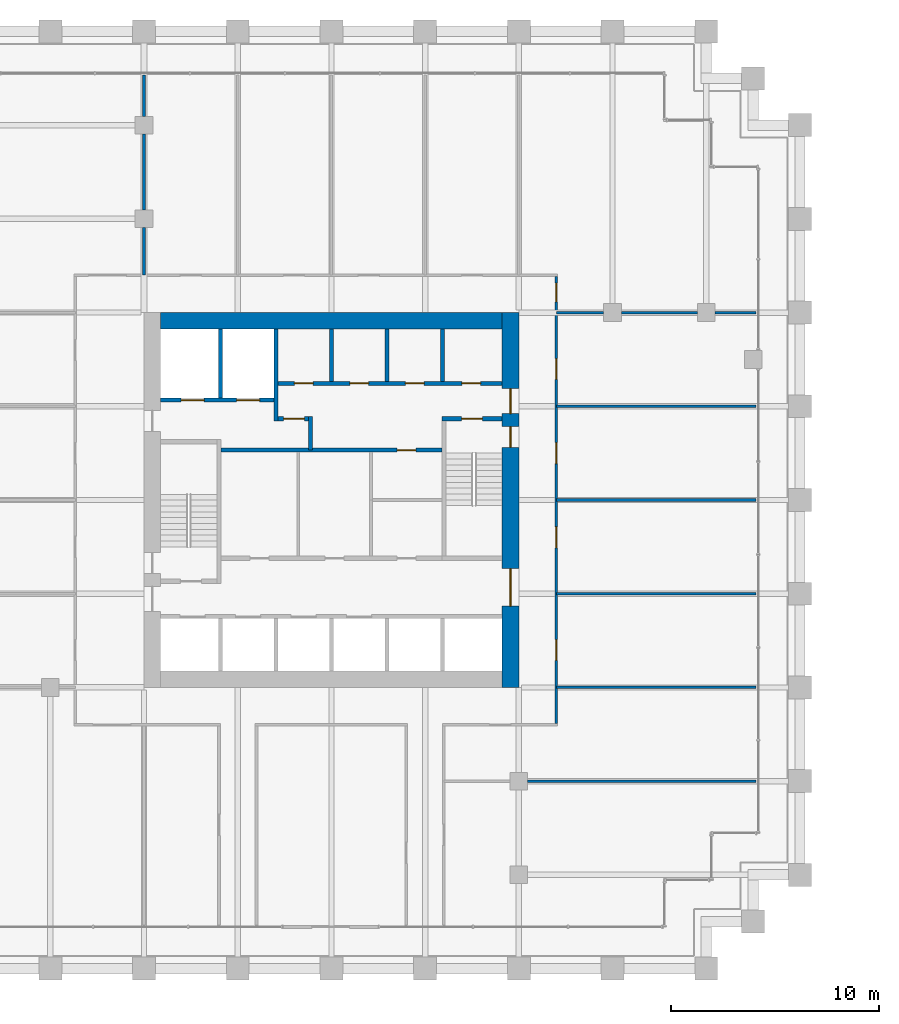
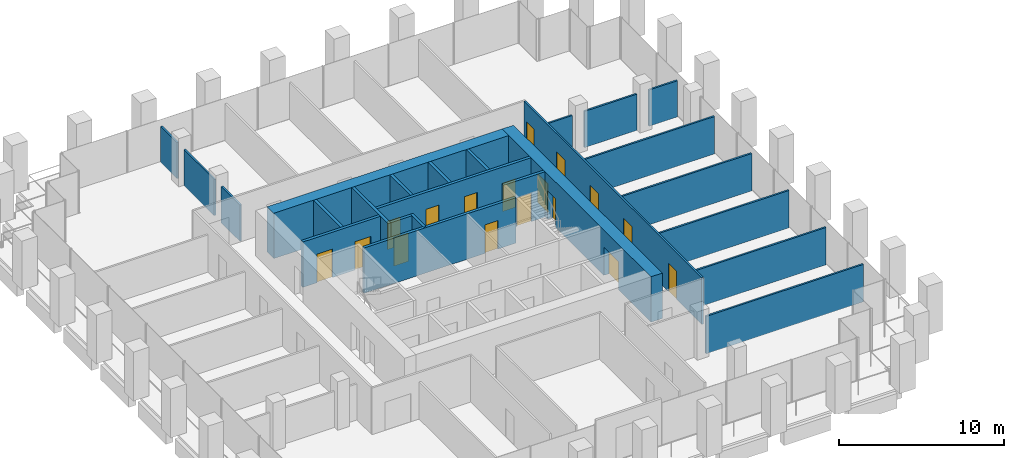
# One storey, part 51 of 56: 25 walls, 17 doors, 17 openings.
"""IFC4 building model written with IfcOpenShell, lengths in metres."""

from ifc_helpers import new_model, si_unit, direction, frame, frame_2d, origin, place, context, subcontext, project, spatial, rectangle, extrude, material, layer, layer_set, type_object, element, fill, save


model = new_model("IFC4")

# Units and contexts
model_context = context("Model", 3, precision=1e-05, world=origin(), true_north=direction((0.0, 1.0)))
body_context = subcontext(model_context, "Body", "Model", "MODEL_VIEW")
ifc_project = project(units=[si_unit("LENGTHUNIT", "METRE"), si_unit("AREAUNIT", "SQUARE_METRE"), si_unit("VOLUMEUNIT", "CUBIC_METRE"), si_unit("PLANEANGLEUNIT", "RADIAN"), si_unit("MASSUNIT", "GRAM", prefix="KILO")], contexts=[model_context])

# Site, building, storey
site_placement = place(None, origin())
site = spatial("IfcSite", under=ifc_project, at=site_placement, CompositionType="ELEMENT")
building_placement = place(site_placement, origin())
building = spatial("IfcBuilding", under=site, at=building_placement, Name="Altepetl Exchange Towers", CompositionType="ELEMENT")
storey_placement = place(building_placement, frame((0.0, 0.0, 72.60009765625)))
storey = spatial("IfcBuildingStorey", under=building, at=storey_placement, Name="L17", CompositionType="ELEMENT", Elevation=72.60009765625)

# Wall, openings, doors
ifc_material_1 = material(Name="Concrete C70/85", Category="concrete")
ifc_layer_1 = layer(ifc_material_1, 0.800048828125)
ifc_layer_set_1 = layer_set([ifc_layer_1], Name="Concrete C70/85")
wall_type_1 = type_object("IfcWallType", Name="Core wall 800 reinforced concrete", PredefinedType="SHEAR", material=ifc_layer_set_1)
wall_1_placement = place(storey_placement, frame((58.10009765625, 40.5, 0.0), z_axis=(0.0, 0.0, 1.0), x_axis=(0.0, 1.0, 0.0)))
wall_1 = element("IfcWall", 1, at=wall_1_placement, inside=storey, type_object=wall_type_1, Name="wall:A:L17:K-coreE", PredefinedType="SHEAR", context=body_context, shape_type="SweptSolid", body=[
    extrude(rectangle(XDim=18.0, YDim=0.800048828125, at=frame_2d((9.0, 0.0))), origin(), (0.0, 0.0, 1.0), 3.349853515625),
])
opening_1_placement = place(wall_1_placement, frame((13.14990234375, 0.0, 0.0)))
opening_1 = element("IfcOpeningElement", 2, at=opening_1_placement, cuts=wall_1, Name="Opening L17.A60", PredefinedType="OPENING", context=body_context, shape_type="SweptSolid", body=[
    extrude(rectangle(XDim=1.199951171875, YDim=2.10009765625, at=frame_2d((0.60009765625, 1.050048828125))), frame((0.0, 0.41015625, 0.0), z_axis=(0.0, -1.0, 0.0), x_axis=(1.0, 0.0, 0.0)), (0.0, 0.0, 1.0), 0.820068359375),
])
opening_2_placement = place(wall_1_placement, frame((3.89990234375, 0.0, 0.0)))
opening_2 = element("IfcOpeningElement", 3, at=opening_2_placement, cuts=wall_1, Name="Opening L17.A61", PredefinedType="OPENING", context=body_context, shape_type="SweptSolid", body=[
    extrude(rectangle(XDim=1.800048828125, YDim=2.10009765625, at=frame_2d((0.89990234375, 1.050048828125))), frame((0.0, 0.41015625, 0.0), z_axis=(0.0, -1.0, 0.0), x_axis=(1.0, 0.0, 0.0)), (0.0, 0.0, 1.0), 0.820068359375),
])
opening_3_placement = place(wall_1_placement, frame((11.52490234375, 0.0, 0.0)))
opening_3 = element("IfcOpeningElement", 4, at=opening_3_placement, cuts=wall_1, Name="Opening L17.A66", PredefinedType="OPENING", context=body_context, shape_type="SweptSolid", body=[
    extrude(rectangle(XDim=1.0, YDim=2.10009765625, at=frame_2d((0.5, 1.050048828125))), frame((0.0, 0.41015625, 0.0), z_axis=(0.0, -1.0, 0.0), x_axis=(1.0, 0.0, 0.0)), (0.0, 0.0, 1.0), 0.820068359375),
])
ifc_material_2 = material(Name="Steel and timber fire door", Category="steel")
door_type_1 = type_object("IfcDoorType", Name="Fire door 1000 x 2100 stair and lobby", OperationType="SINGLE_SWING_LEFT", PredefinedType="DOOR", material=ifc_material_2)
door_1_placement = place(opening_3_placement, origin())
door_1 = element("IfcDoor", 5, at=door_1_placement, inside=storey, type_object=door_type_1, Name="door:A:L17:K-dS2x", OperationType="SINGLE_SWING_RIGHT", OverallHeight=2.10009765625, OverallWidth=1.0, PredefinedType="DOOR", context=body_context, shape_type="SweptSolid", body=[
    extrude(rectangle(XDim=1.0, YDim=2.10009765625, at=frame_2d((0.5, 1.050048828125))), frame((0.0, 0.02490234375, 0.0), z_axis=(0.0, -1.0, 0.0), x_axis=(1.0, 0.0, 0.0)), (0.0, 0.0, 1.0), 0.050048828125),
])
fill(opening_3, door_1)
door_type_2 = type_object("IfcDoorType", Name="Fire door 1200 x 2100 lobby entry", OperationType="SINGLE_SWING_LEFT", PredefinedType="DOOR", material=ifc_material_2)
door_2_placement = place(opening_1_placement, origin())
door_2 = element("IfcDoor", 6, at=door_2_placement, inside=storey, type_object=door_type_2, Name="door:A:L17:K-dLNE", OperationType="SINGLE_SWING_RIGHT", OverallHeight=2.10009765625, OverallWidth=1.199951171875, PredefinedType="DOOR", context=body_context, shape_type="SweptSolid", body=[
    extrude(rectangle(XDim=1.199951171875, YDim=2.10009765625, at=frame_2d((0.60009765625, 1.050048828125))), frame((0.0, 0.02490234375, 0.0), z_axis=(0.0, -1.0, 0.0), x_axis=(1.0, 0.0, 0.0)), (0.0, 0.0, 1.0), 0.050048828125),
])
fill(opening_1, door_2)
door_type_3 = type_object("IfcDoorType", Name="Fire door 1800 x 2100 lobby entry", OperationType="DOUBLE_DOOR_SINGLE_SWING", PredefinedType="DOOR", material=ifc_material_2)
door_3_placement = place(opening_2_placement, origin())
door_3 = element("IfcDoor", 7, at=door_3_placement, inside=storey, type_object=door_type_3, Name="door:A:L17:K-dLSE", OperationType="DOUBLE_DOOR_SINGLE_SWING", OverallHeight=2.10009765625, OverallWidth=1.800048828125, PredefinedType="DOOR", context=body_context, shape_type="SweptSolid", body=[
    extrude(rectangle(XDim=1.800048828125, YDim=2.10009765625, at=frame_2d((0.89990234375, 1.050048828125))), frame((0.0, 0.02490234375, 0.0), z_axis=(0.0, -1.0, 0.0), x_axis=(1.0, 0.0, 0.0)), (0.0, 0.0, 1.0), 0.050048828125),
])
fill(opening_2, door_3)

# Walls
wall_2_placement = place(storey_placement, frame((41.300048828125, 58.10009765625, 0.0)))
element("IfcWall", 8, at=wall_2_placement, inside=storey, type_object=wall_type_1, Name="wall:A:L17:K-coreN", PredefinedType="SHEAR", context=body_context, shape_type="SweptSolid", body=[
    extrude(rectangle(XDim=16.39990234375, YDim=0.800048828125, at=frame_2d((8.199951171875, 0.0))), origin(), (0.0, 0.0, 1.0), 3.349853515625),
])
ifc_material_3 = material(Name="Concrete blockwork", Category="masonry")
ifc_layer_2 = layer(ifc_material_3, 0.199951171875)
ifc_layer_set_2 = layer_set([ifc_layer_2], Name="Concrete blockwork")
wall_type_2 = type_object("IfcWallType", Name="Lobby wall 200 blockwork", PredefinedType="PARTITIONING", material=ifc_layer_set_2)
wall_3_placement = place(storey_placement, frame((48.5, 51.89990234375, 0.0), z_axis=(0.0, 0.0, 1.0), x_axis=(0.0, 1.0, 0.0)))
element("IfcWall", 9, at=wall_3_placement, inside=storey, type_object=wall_type_2, Name="wall:A:L17:K-ffE", PredefinedType="PARTITIONING", context=body_context, shape_type="SweptSolid", body=[
    extrude(rectangle(XDim=1.60009765625, YDim=0.199951171875, at=frame_2d((0.800048828125, 0.0))), origin(), (0.0, 0.0, 1.0), 3.349853515625),
])

# Wall, opening, door
wall_4_placement = place(storey_placement, frame((46.933349609375, 53.39990234375, 0.0)))
wall_4 = element("IfcWall", 10, at=wall_4_placement, inside=storey, type_object=wall_type_2, Name="wall:A:L17:K-ffN", PredefinedType="PARTITIONING", context=body_context, shape_type="SweptSolid", body=[
    extrude(rectangle(XDim=1.466552734375, YDim=0.199951171875, at=frame_2d((0.7333984375, 0.0))), origin(), (0.0, 0.0, 1.0), 3.349853515625),
])
opening_4_placement = place(wall_4_placement, frame((0.2666015625, 0.0, 0.0)))
opening_4 = element("IfcOpeningElement", 11, at=opening_4_placement, cuts=wall_4, Name="Opening L17.A67", PredefinedType="OPENING", context=body_context, shape_type="SweptSolid", body=[
    extrude(rectangle(XDim=1.0, YDim=2.10009765625, at=frame_2d((0.5, 1.050048828125))), frame((0.0, 0.10986328125, 0.0), z_axis=(0.0, -1.0, 0.0), x_axis=(1.0, 0.0, 0.0)), (0.0, 0.0, 1.0), 0.219970703125),
])
door_4_placement = place(opening_4_placement, frame((1.0, 0.0, 0.0), x_axis=(-1.0, 0.0, 0.0)))
door_4 = element("IfcDoor", 12, at=door_4_placement, inside=storey, type_object=door_type_1, Name="door:A:L17:K-dffN", OperationType="SINGLE_SWING_RIGHT", OverallHeight=2.10009765625, OverallWidth=1.0, PredefinedType="DOOR", context=body_context, shape_type="SweptSolid", body=[
    extrude(rectangle(XDim=1.0, YDim=2.10009765625, at=frame_2d((0.5, 1.050048828125))), frame((0.0, 0.02490234375, 0.0), z_axis=(0.0, -1.0, 0.0), x_axis=(1.0, 0.0, 0.0)), (0.0, 0.0, 1.0), 0.050048828125),
])
fill(opening_4, door_4)

wall_5_placement = place(storey_placement, frame((44.199951171875, 51.89990234375, 0.0)))
wall_5 = element("IfcWall", 13, at=wall_5_placement, inside=storey, type_object=wall_type_2, Name="wall:A:L17:K-zoneN", PredefinedType="PARTITIONING", context=body_context, shape_type="SweptSolid", body=[
    extrude(rectangle(XDim=10.60009765625, YDim=0.199951171875, at=frame_2d((5.300048828125, 0.0))), origin(), (0.0, 0.0, 1.0), 3.349853515625),
])
opening_5_placement = place(wall_5_placement, frame((8.449951171875, 0.0, 0.0)))
opening_5 = element("IfcOpeningElement", 14, at=opening_5_placement, cuts=wall_5, Name="Opening L17.A76", PredefinedType="OPENING", context=body_context, shape_type="SweptSolid", body=[
    extrude(rectangle(XDim=0.89990234375, YDim=2.10009765625, at=frame_2d((0.449951171875, 1.050048828125))), frame((0.0, 0.10986328125, 0.0), z_axis=(0.0, -1.0, 0.0), x_axis=(1.0, 0.0, 0.0)), (0.0, 0.0, 1.0), 0.219970703125),
])
door_type_4 = type_object("IfcDoorType", Name="Fire door 900 x 2100 service room", OperationType="SINGLE_SWING_LEFT", PredefinedType="DOOR", material=ifc_material_2)
door_5_placement = place(opening_5_placement, frame((0.89990234375, 0.0, 0.0), x_axis=(-1.0, 0.0, 0.0)))
door_5 = element("IfcDoor", 15, at=door_5_placement, inside=storey, type_object=door_type_4, Name="door:A:L17:K-dz4", OperationType="SINGLE_SWING_LEFT", OverallHeight=2.10009765625, OverallWidth=0.89990234375, PredefinedType="DOOR", context=body_context, shape_type="SweptSolid", body=[
    extrude(rectangle(XDim=0.89990234375, YDim=2.10009765625, at=frame_2d((0.449951171875, 1.050048828125))), frame((0.0, 0.02490234375, 0.0), z_axis=(0.0, -1.0, 0.0), x_axis=(1.0, 0.0, 0.0)), (0.0, 0.0, 1.0), 0.050048828125),
])
fill(opening_5, door_5)

# Walls
ifc_material_4 = material(Name="Timber panels on aluminium track", Category="wood")
ifc_layer_3 = layer(ifc_material_4, 0.125)
ifc_layer_set_3 = layer_set([ifc_layer_3], Name="Timber panels on aluminium track")
wall_type_3 = type_object("IfcWallType", Name="Operable acoustic partition 125", PredefinedType="MOVABLE", material=ifc_layer_set_3)
for number, where, name in (
    (16, (60.300048828125, 40.5, 0.0), "wall:A:L17:P09"),
    (17, (60.300048828125, 45.0, 0.0), "wall:A:L17:P11"),
    (18, (60.300048828125, 49.5, 0.0), "wall:A:L17:P13"),
    (19, (60.300048828125, 54.0, 0.0), "wall:A:L17:P15"),
):
    element("IfcWall", number, at=place(storey_placement, frame(where)), inside=storey, type_object=wall_type_3, Name=name, PredefinedType="MOVABLE", context=body_context, shape_type="SweptSolid", body=[
        extrude(rectangle(XDim=9.599853515625, YDim=0.125, at=frame_2d((4.7998046875, 0.0))), origin(), (0.0, 0.0, 1.0), 2.765869140625),
    ])
ifc_material_5 = material(Name="Gypsum board on steel studs", Category="steel")
ifc_layer_4 = layer(ifc_material_5, 0.125)
ifc_layer_set_4 = layer_set([ifc_layer_4], Name="Gypsum board on steel studs")
wall_type_4 = type_object("IfcWallType", Name="Partition 125 gypsum board on steel studs", PredefinedType="PARTITIONING", material=ifc_layer_set_4)
wall_6_placement = place(storey_placement, frame((58.925048828125, 36.0, 0.0)))
element("IfcWall", 20, at=wall_6_placement, inside=storey, type_object=wall_type_4, Name="wall:A:L17:P02", PredefinedType="PARTITIONING", context=body_context, shape_type="SweptSolid", body=[
    extrude(rectangle(XDim=10.974853515625, YDim=0.125, at=frame_2d((5.4873046875, 0.0))), origin(), (0.0, 0.0, 1.0), 2.765869140625),
])
wall_7_placement = place(storey_placement, frame((60.300048828125, 58.5, 0.0)))
element("IfcWall", 21, at=wall_7_placement, inside=storey, type_object=wall_type_4, Name="wall:A:L17:P17", PredefinedType="PARTITIONING", context=body_context, shape_type="SweptSolid", body=[
    extrude(rectangle(XDim=2.27490234375, YDim=0.125, at=frame_2d((1.137451171875, 0.0))), origin(), (0.0, 0.0, 1.0), 2.67578125),
])
wall_8_placement = place(storey_placement, frame((63.425048828125, 58.5, 0.0)))
element("IfcWall", 22, at=wall_8_placement, inside=storey, type_object=wall_type_4, Name="wall:A:L17:P18", PredefinedType="PARTITIONING", context=body_context, shape_type="SweptSolid", body=[
    extrude(rectangle(XDim=3.64990234375, YDim=0.125, at=frame_2d((1.824951171875, 0.0))), origin(), (0.0, 0.0, 1.0), 2.67578125),
])
wall_9_placement = place(storey_placement, frame((67.925048828125, 58.5, 0.0)))
element("IfcWall", 23, at=wall_9_placement, inside=storey, type_object=wall_type_4, Name="wall:A:L17:P19", PredefinedType="PARTITIONING", context=body_context, shape_type="SweptSolid", body=[
    extrude(rectangle(XDim=1.974853515625, YDim=0.125, at=frame_2d((0.9873046875, 0.0))), origin(), (0.0, 0.0, 1.0), 2.67578125),
])
wall_10_placement = place(storey_placement, frame((40.5, 60.300048828125, 0.0), z_axis=(0.0, 0.0, 1.0), x_axis=(0.0, 1.0, 0.0)))
element("IfcWall", 24, at=wall_10_placement, inside=storey, type_object=wall_type_4, Name="wall:A:L17:P23", PredefinedType="PARTITIONING", context=body_context, shape_type="SweptSolid", body=[
    extrude(rectangle(XDim=2.27490234375, YDim=0.125, at=frame_2d((1.137451171875, 0.0))), origin(), (0.0, 0.0, 1.0), 2.67578125),
])
wall_11_placement = place(storey_placement, frame((40.5, 63.425048828125, 0.0), z_axis=(0.0, 0.0, 1.0), x_axis=(0.0, 1.0, 0.0)))
element("IfcWall", 25, at=wall_11_placement, inside=storey, type_object=wall_type_4, Name="wall:A:L17:P24", PredefinedType="PARTITIONING", context=body_context, shape_type="SweptSolid", body=[
    extrude(rectangle(XDim=3.64990234375, YDim=0.125, at=frame_2d((1.824951171875, 0.0))), origin(), (0.0, 0.0, 1.0), 2.67578125),
])
wall_12_placement = place(storey_placement, frame((40.5, 67.925048828125, 0.0), z_axis=(0.0, 0.0, 1.0), x_axis=(0.0, 1.0, 0.0)))
element("IfcWall", 26, at=wall_12_placement, inside=storey, type_object=wall_type_4, Name="wall:A:L17:P25", PredefinedType="PARTITIONING", context=body_context, shape_type="SweptSolid", body=[
    extrude(rectangle(XDim=1.974853515625, YDim=0.125, at=frame_2d((0.9873046875, 0.0))), origin(), (0.0, 0.0, 1.0), 2.67578125),
])

# Wall, openings, doors
wall_13_placement = place(storey_placement, frame((60.300048828125, 38.762451171875, 0.0), z_axis=(0.0, 0.0, 1.0), x_axis=(0.0, 1.0, 0.0)))
wall_13 = element("IfcWall", 27, at=wall_13_placement, inside=storey, type_object=wall_type_4, Name="wall:A:L17:P34", PredefinedType="PARTITIONING", context=body_context, shape_type="SweptSolid", body=[
    extrude(rectangle(XDim=21.47509765625, YDim=0.125, at=frame_2d((10.737548828125, 0.0))), origin(), (0.0, 0.0, 1.0), 3.449951171875),
])
opening_6_placement = place(wall_13_placement, frame((3.032470703125, 0.0, 0.0)))
opening_6 = element("IfcOpeningElement", 28, at=opening_6_placement, cuts=wall_13, Name="Opening L17.A08", PredefinedType="OPENING", context=body_context, shape_type="SweptSolid", body=[
    extrude(rectangle(XDim=1.0, YDim=2.10009765625, at=frame_2d((0.5, 1.050048828125))), frame((0.0, 0.072509765625, 0.0), z_axis=(0.0, -1.0, 0.0), x_axis=(1.0, 0.0, 0.0)), (0.0, 0.0, 1.0), 0.14501953125),
])
opening_7_placement = place(wall_13_placement, frame((8.4423828125, 0.0, 0.0)))
opening_7 = element("IfcOpeningElement", 29, at=opening_7_placement, cuts=wall_13, Name="Opening L17.A09", PredefinedType="OPENING", context=body_context, shape_type="SweptSolid", body=[
    extrude(rectangle(XDim=1.0, YDim=2.10009765625, at=frame_2d((0.5, 1.050048828125))), frame((0.0, 0.072509765625, 0.0), z_axis=(0.0, -1.0, 0.0), x_axis=(1.0, 0.0, 0.0)), (0.0, 0.0, 1.0), 0.14501953125),
])
opening_8_placement = place(wall_13_placement, frame((12.487548828125, 0.0, 0.0)))
opening_8 = element("IfcOpeningElement", 30, at=opening_8_placement, cuts=wall_13, Name="Opening L17.A10", PredefinedType="OPENING", context=body_context, shape_type="SweptSolid", body=[
    extrude(rectangle(XDim=1.0, YDim=2.10009765625, at=frame_2d((0.5, 1.050048828125))), frame((0.0, 0.072509765625, 0.0), z_axis=(0.0, -1.0, 0.0), x_axis=(1.0, 0.0, 0.0)), (0.0, 0.0, 1.0), 0.14501953125),
])
opening_9_placement = place(wall_13_placement, frame((16.532470703125, 0.0, 0.0)))
opening_9 = element("IfcOpeningElement", 31, at=opening_9_placement, cuts=wall_13, Name="Opening L17.A11", PredefinedType="OPENING", context=body_context, shape_type="SweptSolid", body=[
    extrude(rectangle(XDim=1.0, YDim=2.10009765625, at=frame_2d((0.5, 1.050048828125))), frame((0.0, 0.072509765625, 0.0), z_axis=(0.0, -1.0, 0.0), x_axis=(1.0, 0.0, 0.0)), (0.0, 0.0, 1.0), 0.14501953125),
])
opening_10_placement = place(wall_13_placement, frame((20.257568359375, 0.0, 0.0)))
opening_10 = element("IfcOpeningElement", 32, at=opening_10_placement, cuts=wall_13, Name="Opening L17.A12", PredefinedType="OPENING", context=body_context, shape_type="SweptSolid", body=[
    extrude(rectangle(XDim=0.89990234375, YDim=2.10009765625, at=frame_2d((0.449951171875, 1.050048828125))), frame((0.0, 0.072509765625, 0.0), z_axis=(0.0, -1.0, 0.0), x_axis=(1.0, 0.0, 0.0)), (0.0, 0.0, 1.0), 0.14501953125),
])
door_type_5 = type_object("IfcDoorType", Name="Fire door 1000 x 2100 single leaf", OperationType="SINGLE_SWING_LEFT", PredefinedType="DOOR", material=ifc_material_2)
door_6_placement = place(opening_6_placement, frame((1.0, 0.0, 0.0), x_axis=(-1.0, 0.0, 0.0)))
door_6 = element("IfcDoor", 33, at=door_6_placement, inside=storey, type_object=door_type_5, Name="door:A:L17:08", OperationType="SINGLE_SWING_RIGHT", OverallHeight=2.10009765625, OverallWidth=1.0, PredefinedType="DOOR", context=body_context, shape_type="SweptSolid", body=[
    extrude(rectangle(XDim=1.0, YDim=2.10009765625, at=frame_2d((0.5, 1.050048828125))), frame((0.0, 0.02490234375, 0.0), z_axis=(0.0, -1.0, 0.0), x_axis=(1.0, 0.0, 0.0)), (0.0, 0.0, 1.0), 0.050048828125),
])
fill(opening_6, door_6)
door_7_placement = place(opening_7_placement, frame((1.0, 0.0, 0.0), x_axis=(-1.0, 0.0, 0.0)))
door_7 = element("IfcDoor", 34, at=door_7_placement, inside=storey, type_object=door_type_5, Name="door:A:L17:09", OperationType="SINGLE_SWING_LEFT", OverallHeight=2.10009765625, OverallWidth=1.0, PredefinedType="DOOR", context=body_context, shape_type="SweptSolid", body=[
    extrude(rectangle(XDim=1.0, YDim=2.10009765625, at=frame_2d((0.5, 1.050048828125))), frame((0.0, 0.02490234375, 0.0), z_axis=(0.0, -1.0, 0.0), x_axis=(1.0, 0.0, 0.0)), (0.0, 0.0, 1.0), 0.050048828125),
])
fill(opening_7, door_7)
door_8_placement = place(opening_8_placement, frame((1.0, 0.0, 0.0), x_axis=(-1.0, 0.0, 0.0)))
door_8 = element("IfcDoor", 35, at=door_8_placement, inside=storey, type_object=door_type_5, Name="door:A:L17:10", OperationType="SINGLE_SWING_RIGHT", OverallHeight=2.10009765625, OverallWidth=1.0, PredefinedType="DOOR", context=body_context, shape_type="SweptSolid", body=[
    extrude(rectangle(XDim=1.0, YDim=2.10009765625, at=frame_2d((0.5, 1.050048828125))), frame((0.0, 0.02490234375, 0.0), z_axis=(0.0, -1.0, 0.0), x_axis=(1.0, 0.0, 0.0)), (0.0, 0.0, 1.0), 0.050048828125),
])
fill(opening_8, door_8)
door_9_placement = place(opening_9_placement, frame((1.0, 0.0, 0.0), x_axis=(-1.0, 0.0, 0.0)))
door_9 = element("IfcDoor", 36, at=door_9_placement, inside=storey, type_object=door_type_5, Name="door:A:L17:11", OperationType="SINGLE_SWING_RIGHT", OverallHeight=2.10009765625, OverallWidth=1.0, PredefinedType="DOOR", context=body_context, shape_type="SweptSolid", body=[
    extrude(rectangle(XDim=1.0, YDim=2.10009765625, at=frame_2d((0.5, 1.050048828125))), frame((0.0, 0.02490234375, 0.0), z_axis=(0.0, -1.0, 0.0), x_axis=(1.0, 0.0, 0.0)), (0.0, 0.0, 1.0), 0.050048828125),
])
fill(opening_9, door_9)
door_type_6 = type_object("IfcDoorType", Name="Fire door 900 x 2100 single leaf", OperationType="SINGLE_SWING_LEFT", PredefinedType="DOOR", material=ifc_material_2)
door_10_placement = place(opening_10_placement, frame((0.89990234375, 0.0, 0.0), x_axis=(-1.0, 0.0, 0.0)))
door_10 = element("IfcDoor", 37, at=door_10_placement, inside=storey, type_object=door_type_6, Name="door:A:L17:12", OperationType="SINGLE_SWING_LEFT", OverallHeight=2.10009765625, OverallWidth=0.89990234375, PredefinedType="DOOR", context=body_context, shape_type="SweptSolid", body=[
    extrude(rectangle(XDim=0.89990234375, YDim=2.10009765625, at=frame_2d((0.449951171875, 1.050048828125))), frame((0.0, 0.02490234375, 0.0), z_axis=(0.0, -1.0, 0.0), x_axis=(1.0, 0.0, 0.0)), (0.0, 0.0, 1.0), 0.050048828125),
])
fill(opening_10, door_10)

# Walls
ifc_material_6 = material(Name="Concrete C40/50", Category="concrete")
ifc_layer_5 = layer(ifc_material_6, 0.199951171875)
ifc_layer_set_5 = layer_set([ifc_layer_5], Name="Concrete C40/50")
wall_type_5 = type_object("IfcWallType", Name="Shaft wall 200 reinforced concrete", PredefinedType="SHEAR", material=ifc_layer_set_5)
wall_14_placement = place(storey_placement, frame((44.166748046875, 57.699951171875, 0.0), z_axis=(0.0, 0.0, 1.0), x_axis=(0.0, -1.0, 0.0)))
element("IfcWall", 38, at=wall_14_placement, inside=storey, type_object=wall_type_5, Name="wall:A:L17:K-divN1", PredefinedType="SHEAR", context=body_context, shape_type="SweptSolid", body=[
    extrude(rectangle(XDim=3.300048828125, YDim=0.199951171875, at=frame_2d((1.64990234375, 0.0))), origin(), (0.0, 0.0, 1.0), 3.349853515625),
])
wall_15_placement = place(storey_placement, frame((46.833251953125, 57.699951171875, 0.0), z_axis=(0.0, 0.0, 1.0), x_axis=(0.0, -1.0, 0.0)))
element("IfcWall", 39, at=wall_15_placement, inside=storey, type_object=wall_type_5, Name="wall:A:L17:K-divN2", PredefinedType="SHEAR", context=body_context, shape_type="SweptSolid", body=[
    extrude(rectangle(XDim=4.39990234375, YDim=0.199951171875, at=frame_2d((2.199951171875, 0.0))), origin(), (0.0, 0.0, 1.0), 3.349853515625),
])
for number, where, z_axis, x_axis, name in (
    (40, (49.5, 57.699951171875, 0.0), (0.0, 0.0, 1.0), (0.0, -1.0, 0.0), "wall:A:L17:K-divN3"),
    (41, (52.166748046875, 57.699951171875, 0.0), (0.0, 0.0, 1.0), (0.0, -1.0, 0.0), "wall:A:L17:K-divN4"),
    (42, (54.833251953125, 57.699951171875, 0.0), (0.0, 0.0, 1.0), (0.0, -1.0, 0.0), "wall:A:L17:K-divN5"),
):
    element("IfcWall", number, at=place(storey_placement, frame(where, z_axis=z_axis, x_axis=x_axis)), inside=storey, type_object=wall_type_5, Name=name, PredefinedType="SHEAR", context=body_context, shape_type="SweptSolid", body=[
        extrude(rectangle(XDim=2.5, YDim=0.199951171875, at=frame_2d((1.25, 0.0))), origin(), (0.0, 0.0, 1.0), 3.349853515625),
    ])

# Wall, openings, doors
wall_16_placement = place(storey_placement, frame((46.933349609375, 55.10009765625, 0.0)))
wall_16 = element("IfcWall", 43, at=wall_16_placement, inside=storey, type_object=wall_type_5, Name="wall:A:L17:K-frontNb", PredefinedType="SHEAR", context=body_context, shape_type="SweptSolid", body=[
    extrude(rectangle(XDim=10.7666015625, YDim=0.199951171875, at=frame_2d((5.38330078125, 0.0))), origin(), (0.0, 0.0, 1.0), 3.349853515625),
])
opening_11_placement = place(wall_16_placement, frame((8.83349609375, 0.0, 0.0)))
opening_11 = element("IfcOpeningElement", 44, at=opening_11_placement, cuts=wall_16, Name="Opening L17.A69", PredefinedType="OPENING", context=body_context, shape_type="SweptSolid", body=[
    extrude(rectangle(XDim=0.89990234375, YDim=2.10009765625, at=frame_2d((0.449951171875, 1.050048828125))), frame((0.0, 0.10986328125, 0.0), z_axis=(0.0, -1.0, 0.0), x_axis=(1.0, 0.0, 0.0)), (0.0, 0.0, 1.0), 0.219970703125),
])
opening_12_placement = place(wall_16_placement, frame((0.783447265625, 0.0, 0.0)))
opening_12 = element("IfcOpeningElement", 45, at=opening_12_placement, cuts=wall_16, Name="Opening L17.A70", PredefinedType="OPENING", context=body_context, shape_type="SweptSolid", body=[
    extrude(rectangle(XDim=0.89990234375, YDim=2.10009765625, at=frame_2d((0.449951171875, 1.050048828125))), frame((0.0, 0.10986328125, 0.0), z_axis=(0.0, -1.0, 0.0), x_axis=(1.0, 0.0, 0.0)), (0.0, 0.0, 1.0), 0.219970703125),
])
opening_13_placement = place(wall_16_placement, frame((3.449951171875, 0.0, 0.0)))
opening_13 = element("IfcOpeningElement", 46, at=opening_13_placement, cuts=wall_16, Name="Opening L17.A71", PredefinedType="OPENING", context=body_context, shape_type="SweptSolid", body=[
    extrude(rectangle(XDim=0.89990234375, YDim=2.10009765625, at=frame_2d((0.449951171875, 1.050048828125))), frame((0.0, 0.10986328125, 0.0), z_axis=(0.0, -1.0, 0.0), x_axis=(1.0, 0.0, 0.0)), (0.0, 0.0, 1.0), 0.219970703125),
])
opening_14_placement = place(wall_16_placement, frame((6.11669921875, 0.0, 0.0)))
opening_14 = element("IfcOpeningElement", 47, at=opening_14_placement, cuts=wall_16, Name="Opening L17.A72", PredefinedType="OPENING", context=body_context, shape_type="SweptSolid", body=[
    extrude(rectangle(XDim=0.89990234375, YDim=2.10009765625, at=frame_2d((0.449951171875, 1.050048828125))), frame((0.0, 0.10986328125, 0.0), z_axis=(0.0, -1.0, 0.0), x_axis=(1.0, 0.0, 0.0)), (0.0, 0.0, 1.0), 0.219970703125),
])
door_11_placement = place(opening_11_placement, origin())
door_11 = element("IfcDoor", 48, at=door_11_placement, inside=storey, type_object=door_type_4, Name="door:A:L17:K-driser", OperationType="SINGLE_SWING_RIGHT", OverallHeight=2.10009765625, OverallWidth=0.89990234375, PredefinedType="DOOR", context=body_context, shape_type="SweptSolid", body=[
    extrude(rectangle(XDim=0.89990234375, YDim=2.10009765625, at=frame_2d((0.449951171875, 1.050048828125))), frame((0.0, 0.02490234375, 0.0), z_axis=(0.0, -1.0, 0.0), x_axis=(1.0, 0.0, 0.0)), (0.0, 0.0, 1.0), 0.050048828125),
])
fill(opening_11, door_11)
door_12_placement = place(opening_12_placement, origin())
door_12 = element("IfcDoor", 49, at=door_12_placement, inside=storey, type_object=door_type_4, Name="door:A:L17:K-dslotN2", OperationType="SINGLE_SWING_RIGHT", OverallHeight=2.10009765625, OverallWidth=0.89990234375, PredefinedType="DOOR", context=body_context, shape_type="SweptSolid", body=[
    extrude(rectangle(XDim=0.89990234375, YDim=2.10009765625, at=frame_2d((0.449951171875, 1.050048828125))), frame((0.0, 0.02490234375, 0.0), z_axis=(0.0, -1.0, 0.0), x_axis=(1.0, 0.0, 0.0)), (0.0, 0.0, 1.0), 0.050048828125),
])
fill(opening_12, door_12)
door_13_placement = place(opening_13_placement, origin())
door_13 = element("IfcDoor", 50, at=door_13_placement, inside=storey, type_object=door_type_4, Name="door:A:L17:K-dslotN3", OperationType="SINGLE_SWING_RIGHT", OverallHeight=2.10009765625, OverallWidth=0.89990234375, PredefinedType="DOOR", context=body_context, shape_type="SweptSolid", body=[
    extrude(rectangle(XDim=0.89990234375, YDim=2.10009765625, at=frame_2d((0.449951171875, 1.050048828125))), frame((0.0, 0.02490234375, 0.0), z_axis=(0.0, -1.0, 0.0), x_axis=(1.0, 0.0, 0.0)), (0.0, 0.0, 1.0), 0.050048828125),
])
fill(opening_13, door_13)
door_14_placement = place(opening_14_placement, origin())
door_14 = element("IfcDoor", 51, at=door_14_placement, inside=storey, type_object=door_type_4, Name="door:A:L17:K-dslotN4", OperationType="SINGLE_SWING_RIGHT", OverallHeight=2.10009765625, OverallWidth=0.89990234375, PredefinedType="DOOR", context=body_context, shape_type="SweptSolid", body=[
    extrude(rectangle(XDim=0.89990234375, YDim=2.10009765625, at=frame_2d((0.449951171875, 1.050048828125))), frame((0.0, 0.02490234375, 0.0), z_axis=(0.0, -1.0, 0.0), x_axis=(1.0, 0.0, 0.0)), (0.0, 0.0, 1.0), 0.050048828125),
])
fill(opening_14, door_14)

wall_17_placement = place(storey_placement, frame((41.300048828125, 54.300048828125, 0.0)))
wall_17 = element("IfcWall", 52, at=wall_17_placement, inside=storey, type_object=wall_type_5, Name="wall:A:L17:K-frontNd", PredefinedType="SHEAR", context=body_context, shape_type="SweptSolid", body=[
    extrude(rectangle(XDim=5.433349609375, YDim=0.199951171875, at=frame_2d((2.716796875, 0.0))), origin(), (0.0, 0.0, 1.0), 3.349853515625),
])
opening_15_placement = place(wall_17_placement, frame((0.9833984375, 0.0, 0.0)))
opening_15 = element("IfcOpeningElement", 53, at=opening_15_placement, cuts=wall_17, Name="Opening L17.A77", PredefinedType="OPENING", context=body_context, shape_type="SweptSolid", body=[
    extrude(rectangle(XDim=1.10009765625, YDim=2.10009765625, at=frame_2d((0.550048828125, 1.050048828125))), frame((0.0, 0.10986328125, 0.0), z_axis=(0.0, -1.0, 0.0), x_axis=(1.0, 0.0, 0.0)), (0.0, 0.0, 1.0), 0.219970703125),
])
opening_16_placement = place(wall_17_placement, frame((3.64990234375, 0.0, 0.0)))
opening_16 = element("IfcOpeningElement", 54, at=opening_16_placement, cuts=wall_17, Name="Opening L17.A78", PredefinedType="OPENING", context=body_context, shape_type="SweptSolid", body=[
    extrude(rectangle(XDim=1.10009765625, YDim=2.10009765625, at=frame_2d((0.550048828125, 1.050048828125))), frame((0.0, 0.10986328125, 0.0), z_axis=(0.0, -1.0, 0.0), x_axis=(1.0, 0.0, 0.0)), (0.0, 0.0, 1.0), 0.219970703125),
])
ifc_material_7 = material(Name="Stainless steel", Category="steel")
door_type_7 = type_object("IfcDoorType", Name="Lift landing door 1100 x 2100", OperationType="SLIDING_TO_LEFT", PredefinedType="DOOR", material=ifc_material_7)
door_15_placement = place(opening_15_placement, origin())
door_15 = element("IfcDoor", 55, at=door_15_placement, inside=storey, type_object=door_type_7, Name="Landing door FFL1", OperationType="SLIDING_TO_LEFT", OverallHeight=2.10009765625, OverallWidth=1.10009765625, PredefinedType="DOOR", context=body_context, shape_type="SweptSolid", body=[
    extrude(rectangle(XDim=1.10009765625, YDim=2.10009765625, at=frame_2d((0.550048828125, 1.050048828125))), frame((0.0, 0.02490234375, 0.0), z_axis=(0.0, -1.0, 0.0), x_axis=(1.0, 0.0, 0.0)), (0.0, 0.0, 1.0), 0.050048828125),
])
fill(opening_15, door_15)
door_16_placement = place(opening_16_placement, origin())
door_16 = element("IfcDoor", 56, at=door_16_placement, inside=storey, type_object=door_type_7, Name="Landing door FFL2", OperationType="SLIDING_TO_LEFT", OverallHeight=2.10009765625, OverallWidth=1.10009765625, PredefinedType="DOOR", context=body_context, shape_type="SweptSolid", body=[
    extrude(rectangle(XDim=1.10009765625, YDim=2.10009765625, at=frame_2d((0.550048828125, 1.050048828125))), frame((0.0, 0.02490234375, 0.0), z_axis=(0.0, -1.0, 0.0), x_axis=(1.0, 0.0, 0.0)), (0.0, 0.0, 1.0), 0.050048828125),
])
fill(opening_16, door_16)

# Wall, opening, door
ifc_layer_6 = layer(ifc_material_6, 0.199951171875)
ifc_layer_set_6 = layer_set([ifc_layer_6], Name="Concrete C40/50")
wall_type_6 = type_object("IfcWallType", Name="Stair wall 200 reinforced concrete", PredefinedType="SHEAR", material=ifc_layer_set_6)
wall_18_placement = place(storey_placement, frame((54.800048828125, 53.39990234375, 0.0)))
wall_18 = element("IfcWall", 57, at=wall_18_placement, inside=storey, type_object=wall_type_6, Name="wall:A:L17:K-stS2N", PredefinedType="SHEAR", context=body_context, shape_type="SweptSolid", body=[
    extrude(rectangle(XDim=2.89990234375, YDim=0.199951171875, at=frame_2d((1.449951171875, 0.0))), origin(), (0.0, 0.0, 1.0), 3.349853515625),
])
opening_17_placement = place(wall_18_placement, frame((0.949951171875, 0.0, 0.0)))
opening_17 = element("IfcOpeningElement", 58, at=opening_17_placement, cuts=wall_18, Name="Opening L17.A65", PredefinedType="OPENING", context=body_context, shape_type="SweptSolid", body=[
    extrude(rectangle(XDim=1.0, YDim=2.10009765625, at=frame_2d((0.5, 1.050048828125))), frame((0.0, 0.10986328125, 0.0), z_axis=(0.0, -1.0, 0.0), x_axis=(1.0, 0.0, 0.0)), (0.0, 0.0, 1.0), 0.219970703125),
])
door_17_placement = place(opening_17_placement, frame((1.0, 0.0, 0.0), x_axis=(-1.0, 0.0, 0.0)))
door_17 = element("IfcDoor", 59, at=door_17_placement, inside=storey, type_object=door_type_1, Name="door:A:L17:K-dS2in", OperationType="SINGLE_SWING_LEFT", OverallHeight=2.10009765625, OverallWidth=1.0, PredefinedType="DOOR", context=body_context, shape_type="SweptSolid", body=[
    extrude(rectangle(XDim=1.0, YDim=2.10009765625, at=frame_2d((0.5, 1.050048828125))), frame((0.0, 0.02490234375, 0.0), z_axis=(0.0, -1.0, 0.0), x_axis=(1.0, 0.0, 0.0)), (0.0, 0.0, 1.0), 0.050048828125),
])
fill(opening_17, door_17)

save(model, "model.ifc")
